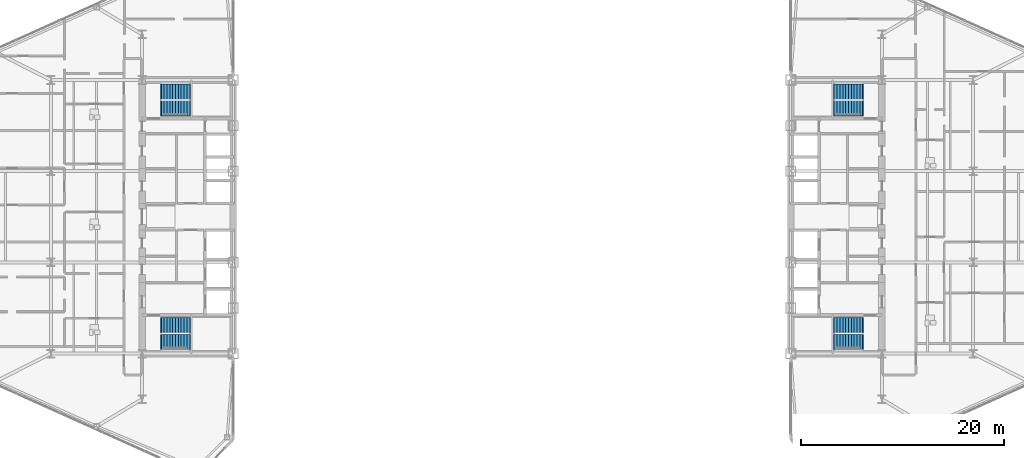
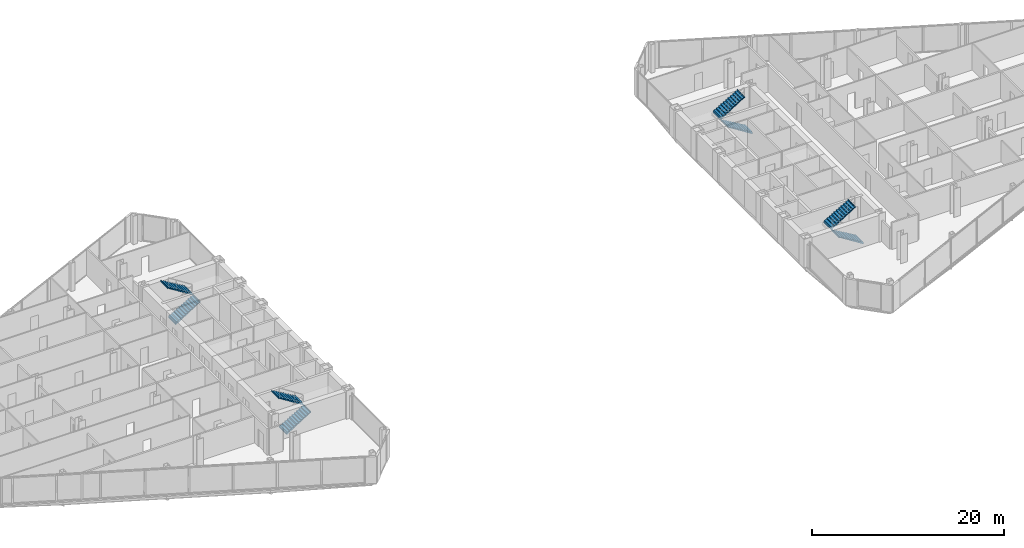
# One storey, part 25 of 27: 8 stair flights, 4 elements without a shape of their own.
"""IFC4 building model written with IfcOpenShell, lengths in metres."""

from ifc_helpers import new_model, si_unit, direction, frame, origin, place, context, subcontext, project, spatial, polyline, outline, extrude, material, type_object, element, aggregate, save


model = new_model("IFC4")

# Units and contexts
model_context = context("Model", 3, precision=1e-05, world=origin(), true_north=direction((0.0, 1.0)))
body_context = subcontext(model_context, "Body", "Model", "MODEL_VIEW")
ifc_project = project(units=[si_unit("LENGTHUNIT", "METRE"), si_unit("AREAUNIT", "SQUARE_METRE"), si_unit("VOLUMEUNIT", "CUBIC_METRE"), si_unit("PLANEANGLEUNIT", "RADIAN"), si_unit("MASSUNIT", "GRAM", prefix="KILO")], contexts=[model_context])

# Site, building, storey
site_placement = place(None, origin())
site = spatial("IfcSite", under=ifc_project, at=site_placement, CompositionType="ELEMENT")
building_placement = place(site_placement, origin())
building = spatial("IfcBuilding", under=site, at=building_placement, Name="Seokmaru Belvedere", CompositionType="ELEMENT")
storey_placement = place(building_placement, frame((0.0, 0.0, 92.39990234375)))
storey = spatial("IfcBuildingStorey", under=building, at=storey_placement, Name="L24", CompositionType="ELEMENT", Elevation=92.39990234375)

# Stair, stair flights
ifc_material = material(Name="Concrete C40 (40 MPa)", Category="concrete")
stair_type = type_object("IfcStairType", Name="Typical Tower Core Dog-Leg Stair 3600", PredefinedType="TWO_STRAIGHT_RUN_STAIR", material=ifc_material)
stair_1_placement = place(storey_placement, origin())
stair_1 = element("IfcStair", 1, at=stair_1_placement, inside=storey, type_object=stair_type, Name="L24 Special Escape Stair ST-W1", PredefinedType="TWO_STRAIGHT_RUN_STAIR")
stair_flight_type = type_object("IfcStairFlightType", Name="Reinforced Concrete Stair Flight 1500", PredefinedType="STRAIGHT", material=ifc_material)
stair_flight_1_placement = place(storey_placement, frame((-34.60009765625, -12.35009765625, 0.0), z_axis=(0.0, 0.0, 1.0), x_axis=(1.0, 0.0, 0.0)))
stair_flight_1 = element("IfcStairFlight", 2, at=stair_flight_1_placement, type_object=stair_flight_type, Name="ST-W1 flight 1", NumberOfRisers=11, NumberOfTreads=10, PredefinedType="STRAIGHT", RiserHeight=0.163636364, TreadLength=0.28, context=body_context, shape_type="SweptSolid", body=[
    extrude(outline(polyline([(-0.080078125, 0.0), (0.0, 0.16357421875), (0.280029296875, 0.16357421875), (0.280029296875, 0.327392578125), (0.56005859375, 0.327392578125), (0.56005859375, 0.490966796875), (0.840087890625, 0.490966796875), (0.840087890625, 0.654541015625), (1.1201171875, 0.654541015625), (1.1201171875, 0.818115234375), (1.39990234375, 0.818115234375), (1.39990234375, 0.98193359375), (1.679931640625, 0.98193359375), (1.679931640625, 1.1455078125), (1.9599609375, 1.1455078125), (1.9599609375, 1.30908203125), (2.239990234375, 1.30908203125), (2.239990234375, 1.47265625), (2.52001953125, 1.47265625), (2.52001953125, 1.636474609375), (2.800048828125, 1.636474609375), (2.800048828125, 1.800048828125), (2.8798828125, 1.800048828125), (2.8798828125, 1.610107421875), (2.800048828125, 1.610107421875), (0.0, -0.159912109375), (-0.080078125, -0.159912109375), (-0.080078125, 0.0)])), frame((0.0, 0.75, 0.0), z_axis=(0.0, -1.0, 0.0), x_axis=(1.0, 0.0, 0.0)), (0.0, 0.0, 1.0), 1.5),
])
stair_flight_2_placement = place(storey_placement, frame((-31.800048828125, -10.7099609375, 1.800048828125), z_axis=(0.0, 0.0, 1.0), x_axis=(-1.0, 0.0, 0.0)))
stair_flight_2 = element("IfcStairFlight", 3, at=stair_flight_2_placement, type_object=stair_flight_type, Name="ST-W1 flight 2", NumberOfRisers=11, NumberOfTreads=10, PredefinedType="STRAIGHT", RiserHeight=0.163636364, TreadLength=0.28, context=body_context, shape_type="SweptSolid", body=[
    extrude(outline(polyline([(-0.080078125, 0.0), (0.0, 0.16357421875), (0.280029296875, 0.16357421875), (0.280029296875, 0.327392578125), (0.56005859375, 0.327392578125), (0.56005859375, 0.490966796875), (0.840087890625, 0.490966796875), (0.840087890625, 0.654541015625), (1.1201171875, 0.654541015625), (1.1201171875, 0.818115234375), (1.39990234375, 0.818115234375), (1.39990234375, 0.98193359375), (1.679931640625, 0.98193359375), (1.679931640625, 1.1455078125), (1.9599609375, 1.1455078125), (1.9599609375, 1.30908203125), (2.239990234375, 1.30908203125), (2.239990234375, 1.47265625), (2.52001953125, 1.47265625), (2.52001953125, 1.636474609375), (2.800048828125, 1.636474609375), (2.800048828125, 1.800048828125), (2.8798828125, 1.800048828125), (2.8798828125, 1.610107421875), (2.800048828125, 1.610107421875), (0.0, -0.159912109375), (-0.080078125, -0.159912109375), (-0.080078125, 0.0)])), frame((0.0, 0.75, 0.0), z_axis=(0.0, -1.0, 0.0), x_axis=(1.0, 0.0, 0.0)), (0.0, 0.0, 1.0), 1.5),
])
aggregate(stair_1, [stair_flight_1, stair_flight_2])

stair_2_placement = place(storey_placement, origin())
stair_2 = element("IfcStair", 4, at=stair_2_placement, inside=storey, type_object=stair_type, Name="L24 Special Escape Stair ST-W2", PredefinedType="TWO_STRAIGHT_RUN_STAIR")
stair_flight_3_placement = place(storey_placement, frame((-34.60009765625, 10.7099609375, 0.0), z_axis=(0.0, 0.0, 1.0), x_axis=(1.0, 0.0, 0.0)))
stair_flight_3 = element("IfcStairFlight", 5, at=stair_flight_3_placement, type_object=stair_flight_type, Name="ST-W2 flight 1", NumberOfRisers=11, NumberOfTreads=10, PredefinedType="STRAIGHT", RiserHeight=0.163636364, TreadLength=0.28, context=body_context, shape_type="SweptSolid", body=[
    extrude(outline(polyline([(-0.080078125, 0.0), (0.0, 0.16357421875), (0.280029296875, 0.16357421875), (0.280029296875, 0.327392578125), (0.56005859375, 0.327392578125), (0.56005859375, 0.490966796875), (0.840087890625, 0.490966796875), (0.840087890625, 0.654541015625), (1.1201171875, 0.654541015625), (1.1201171875, 0.818115234375), (1.39990234375, 0.818115234375), (1.39990234375, 0.98193359375), (1.679931640625, 0.98193359375), (1.679931640625, 1.1455078125), (1.9599609375, 1.1455078125), (1.9599609375, 1.30908203125), (2.239990234375, 1.30908203125), (2.239990234375, 1.47265625), (2.52001953125, 1.47265625), (2.52001953125, 1.636474609375), (2.800048828125, 1.636474609375), (2.800048828125, 1.800048828125), (2.8798828125, 1.800048828125), (2.8798828125, 1.610107421875), (2.800048828125, 1.610107421875), (0.0, -0.159912109375), (-0.080078125, -0.159912109375), (-0.080078125, 0.0)])), frame((0.0, 0.75, 0.0), z_axis=(0.0, -1.0, 0.0), x_axis=(1.0, 0.0, 0.0)), (0.0, 0.0, 1.0), 1.5),
])
stair_flight_4_placement = place(storey_placement, frame((-31.800048828125, 12.35009765625, 1.800048828125), z_axis=(0.0, 0.0, 1.0), x_axis=(-1.0, 0.0, 0.0)))
stair_flight_4 = element("IfcStairFlight", 6, at=stair_flight_4_placement, type_object=stair_flight_type, Name="ST-W2 flight 2", NumberOfRisers=11, NumberOfTreads=10, PredefinedType="STRAIGHT", RiserHeight=0.163636364, TreadLength=0.28, context=body_context, shape_type="SweptSolid", body=[
    extrude(outline(polyline([(-0.080078125, 0.0), (0.0, 0.16357421875), (0.280029296875, 0.16357421875), (0.280029296875, 0.327392578125), (0.56005859375, 0.327392578125), (0.56005859375, 0.490966796875), (0.840087890625, 0.490966796875), (0.840087890625, 0.654541015625), (1.1201171875, 0.654541015625), (1.1201171875, 0.818115234375), (1.39990234375, 0.818115234375), (1.39990234375, 0.98193359375), (1.679931640625, 0.98193359375), (1.679931640625, 1.1455078125), (1.9599609375, 1.1455078125), (1.9599609375, 1.30908203125), (2.239990234375, 1.30908203125), (2.239990234375, 1.47265625), (2.52001953125, 1.47265625), (2.52001953125, 1.636474609375), (2.800048828125, 1.636474609375), (2.800048828125, 1.800048828125), (2.8798828125, 1.800048828125), (2.8798828125, 1.610107421875), (2.800048828125, 1.610107421875), (0.0, -0.159912109375), (-0.080078125, -0.159912109375), (-0.080078125, 0.0)])), frame((0.0, 0.75, 0.0), z_axis=(0.0, -1.0, 0.0), x_axis=(1.0, 0.0, 0.0)), (0.0, 0.0, 1.0), 1.5),
])
aggregate(stair_2, [stair_flight_3, stair_flight_4])

stair_3_placement = place(storey_placement, origin())
stair_3 = element("IfcStair", 7, at=stair_3_placement, inside=storey, type_object=stair_type, Name="L24 Special Escape Stair ST-E1", PredefinedType="TWO_STRAIGHT_RUN_STAIR")
stair_flight_5_placement = place(storey_placement, frame((34.60009765625, -12.35009765625, 0.0), z_axis=(0.0, 0.0, 1.0), x_axis=(-1.0, 0.0, 0.0)))
stair_flight_5 = element("IfcStairFlight", 8, at=stair_flight_5_placement, type_object=stair_flight_type, Name="ST-E1 flight 1", NumberOfRisers=11, NumberOfTreads=10, PredefinedType="STRAIGHT", RiserHeight=0.163636364, TreadLength=0.28, context=body_context, shape_type="SweptSolid", body=[
    extrude(outline(polyline([(-0.080078125, 0.0), (0.0, 0.16357421875), (0.280029296875, 0.16357421875), (0.280029296875, 0.327392578125), (0.56005859375, 0.327392578125), (0.56005859375, 0.490966796875), (0.840087890625, 0.490966796875), (0.840087890625, 0.654541015625), (1.1201171875, 0.654541015625), (1.1201171875, 0.818115234375), (1.39990234375, 0.818115234375), (1.39990234375, 0.98193359375), (1.679931640625, 0.98193359375), (1.679931640625, 1.1455078125), (1.9599609375, 1.1455078125), (1.9599609375, 1.30908203125), (2.239990234375, 1.30908203125), (2.239990234375, 1.47265625), (2.52001953125, 1.47265625), (2.52001953125, 1.636474609375), (2.800048828125, 1.636474609375), (2.800048828125, 1.800048828125), (2.8798828125, 1.800048828125), (2.8798828125, 1.610107421875), (2.800048828125, 1.610107421875), (0.0, -0.159912109375), (-0.080078125, -0.159912109375), (-0.080078125, 0.0)])), frame((0.0, 0.75, 0.0), z_axis=(0.0, -1.0, 0.0), x_axis=(1.0, 0.0, 0.0)), (0.0, 0.0, 1.0), 1.5),
])
stair_flight_6_placement = place(storey_placement, frame((31.800048828125, -10.7099609375, 1.800048828125), z_axis=(0.0, 0.0, 1.0), x_axis=(1.0, 0.0, 0.0)))
stair_flight_6 = element("IfcStairFlight", 9, at=stair_flight_6_placement, type_object=stair_flight_type, Name="ST-E1 flight 2", NumberOfRisers=11, NumberOfTreads=10, PredefinedType="STRAIGHT", RiserHeight=0.163636364, TreadLength=0.28, context=body_context, shape_type="SweptSolid", body=[
    extrude(outline(polyline([(-0.080078125, 0.0), (0.0, 0.16357421875), (0.280029296875, 0.16357421875), (0.280029296875, 0.327392578125), (0.56005859375, 0.327392578125), (0.56005859375, 0.490966796875), (0.840087890625, 0.490966796875), (0.840087890625, 0.654541015625), (1.1201171875, 0.654541015625), (1.1201171875, 0.818115234375), (1.39990234375, 0.818115234375), (1.39990234375, 0.98193359375), (1.679931640625, 0.98193359375), (1.679931640625, 1.1455078125), (1.9599609375, 1.1455078125), (1.9599609375, 1.30908203125), (2.239990234375, 1.30908203125), (2.239990234375, 1.47265625), (2.52001953125, 1.47265625), (2.52001953125, 1.636474609375), (2.800048828125, 1.636474609375), (2.800048828125, 1.800048828125), (2.8798828125, 1.800048828125), (2.8798828125, 1.610107421875), (2.800048828125, 1.610107421875), (0.0, -0.159912109375), (-0.080078125, -0.159912109375), (-0.080078125, 0.0)])), frame((0.0, 0.75, 0.0), z_axis=(0.0, -1.0, 0.0), x_axis=(1.0, 0.0, 0.0)), (0.0, 0.0, 1.0), 1.5),
])
aggregate(stair_3, [stair_flight_5, stair_flight_6])

stair_4_placement = place(storey_placement, origin())
stair_4 = element("IfcStair", 10, at=stair_4_placement, inside=storey, type_object=stair_type, Name="L24 Special Escape Stair ST-E2", PredefinedType="TWO_STRAIGHT_RUN_STAIR")
stair_flight_7_placement = place(storey_placement, frame((34.60009765625, 10.7099609375, 0.0), z_axis=(0.0, 0.0, 1.0), x_axis=(-1.0, 0.0, 0.0)))
stair_flight_7 = element("IfcStairFlight", 11, at=stair_flight_7_placement, type_object=stair_flight_type, Name="ST-E2 flight 1", NumberOfRisers=11, NumberOfTreads=10, PredefinedType="STRAIGHT", RiserHeight=0.163636364, TreadLength=0.28, context=body_context, shape_type="SweptSolid", body=[
    extrude(outline(polyline([(-0.080078125, 0.0), (0.0, 0.16357421875), (0.280029296875, 0.16357421875), (0.280029296875, 0.327392578125), (0.56005859375, 0.327392578125), (0.56005859375, 0.490966796875), (0.840087890625, 0.490966796875), (0.840087890625, 0.654541015625), (1.1201171875, 0.654541015625), (1.1201171875, 0.818115234375), (1.39990234375, 0.818115234375), (1.39990234375, 0.98193359375), (1.679931640625, 0.98193359375), (1.679931640625, 1.1455078125), (1.9599609375, 1.1455078125), (1.9599609375, 1.30908203125), (2.239990234375, 1.30908203125), (2.239990234375, 1.47265625), (2.52001953125, 1.47265625), (2.52001953125, 1.636474609375), (2.800048828125, 1.636474609375), (2.800048828125, 1.800048828125), (2.8798828125, 1.800048828125), (2.8798828125, 1.610107421875), (2.800048828125, 1.610107421875), (0.0, -0.159912109375), (-0.080078125, -0.159912109375), (-0.080078125, 0.0)])), frame((0.0, 0.75, 0.0), z_axis=(0.0, -1.0, 0.0), x_axis=(1.0, 0.0, 0.0)), (0.0, 0.0, 1.0), 1.5),
])
stair_flight_8_placement = place(storey_placement, frame((31.800048828125, 12.35009765625, 1.800048828125), z_axis=(0.0, 0.0, 1.0), x_axis=(1.0, 0.0, 0.0)))
stair_flight_8 = element("IfcStairFlight", 12, at=stair_flight_8_placement, type_object=stair_flight_type, Name="ST-E2 flight 2", NumberOfRisers=11, NumberOfTreads=10, PredefinedType="STRAIGHT", RiserHeight=0.163636364, TreadLength=0.28, context=body_context, shape_type="SweptSolid", body=[
    extrude(outline(polyline([(-0.080078125, 0.0), (0.0, 0.16357421875), (0.280029296875, 0.16357421875), (0.280029296875, 0.327392578125), (0.56005859375, 0.327392578125), (0.56005859375, 0.490966796875), (0.840087890625, 0.490966796875), (0.840087890625, 0.654541015625), (1.1201171875, 0.654541015625), (1.1201171875, 0.818115234375), (1.39990234375, 0.818115234375), (1.39990234375, 0.98193359375), (1.679931640625, 0.98193359375), (1.679931640625, 1.1455078125), (1.9599609375, 1.1455078125), (1.9599609375, 1.30908203125), (2.239990234375, 1.30908203125), (2.239990234375, 1.47265625), (2.52001953125, 1.47265625), (2.52001953125, 1.636474609375), (2.800048828125, 1.636474609375), (2.800048828125, 1.800048828125), (2.8798828125, 1.800048828125), (2.8798828125, 1.610107421875), (2.800048828125, 1.610107421875), (0.0, -0.159912109375), (-0.080078125, -0.159912109375), (-0.080078125, 0.0)])), frame((0.0, 0.75, 0.0), z_axis=(0.0, -1.0, 0.0), x_axis=(1.0, 0.0, 0.0)), (0.0, 0.0, 1.0), 1.5),
])
aggregate(stair_4, [stair_flight_7, stair_flight_8])

save(model, "model.ifc")
